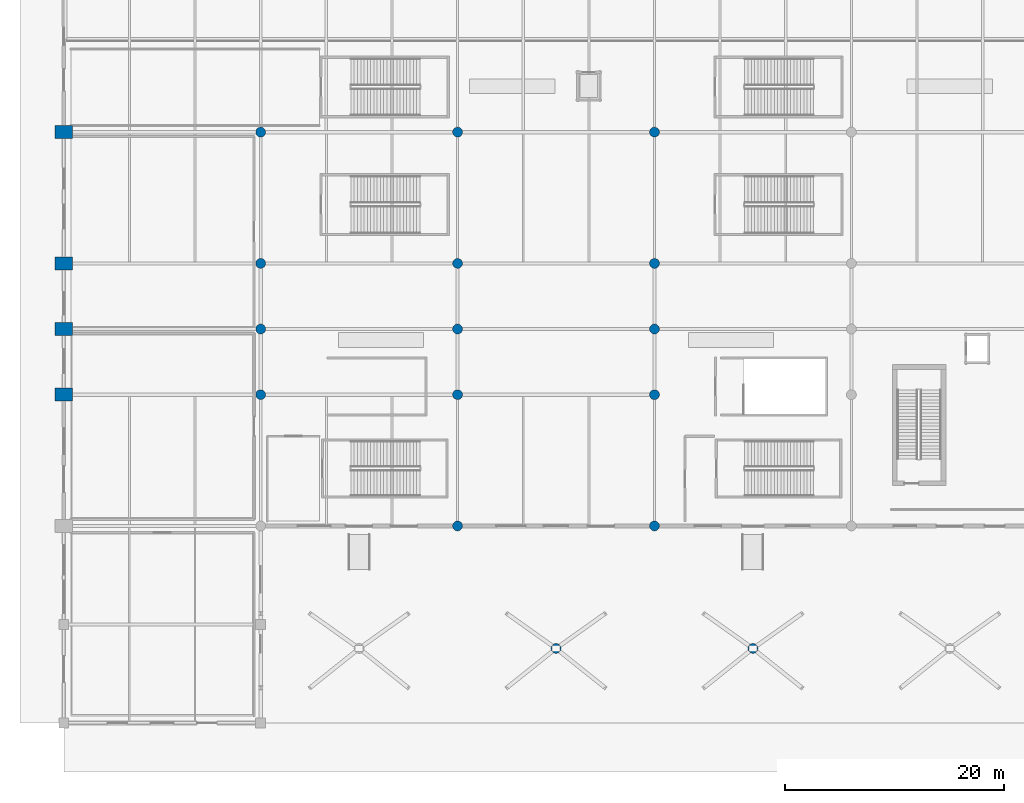
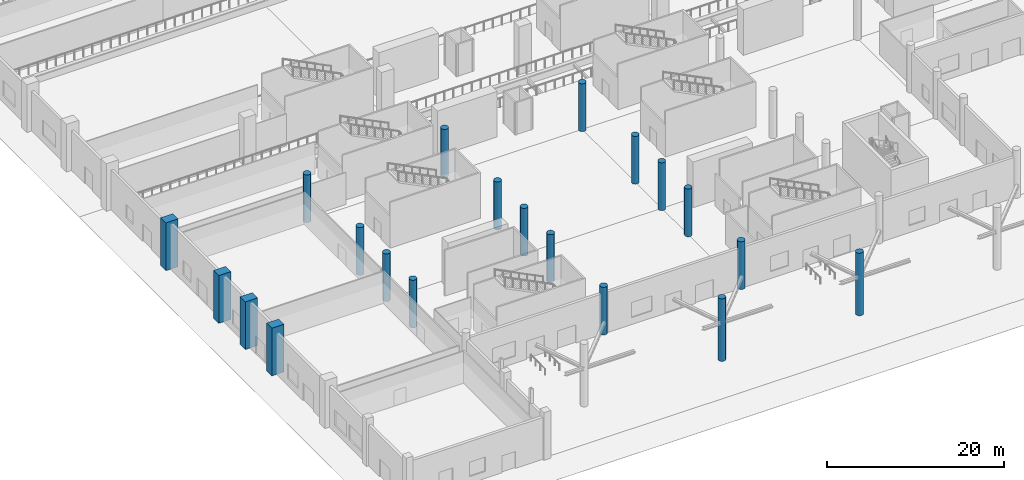
# One storey, part 2 of 65: 20 columns.
"""IFC4 building model written with IfcOpenShell, lengths in metres."""

import ifcopenshell
import ifcopenshell.guid

model = None  # the IFC model being written
_history = None  # IfcOwnerHistory: only IFC2X3 demands one
_inside = {}  # id of a spatial element -> (the spatial element, [elements in it])
_under = {}  # id of a project, library or spatial element -> (it, [spatial elements below it])
_declared = {}  # id of a project -> (the project, [libraries it declares])
_typed = {}  # id of a type object -> (the type object, [elements of that type])
_made_of = {}  # id of a material, layer set ... -> (it, [elements and type objects made of it])


def new_model(schema):
    """Start an empty IFC model of exactly this schema.

    Asked for "IFC4X3", IfcOpenShell would pick the latest addendum, in which some entities
    have other attributes; the version numbers below select the first issue.
    IFC2X3 requires an IfcOwnerHistory on every rooted entity: one is made here for all.
    """
    global model, _history
    if schema == "IFC4X3":
        model = ifcopenshell.file(schema_version=(4, 3, 0, 0))
    else:
        model = ifcopenshell.file(schema=schema)
    _inside.clear()
    _under.clear()
    _declared.clear()
    _typed.clear()
    _made_of.clear()
    _history = None
    if model.schema == "IFC2X3":
        org = make("IfcOrganization", Name="unknown")
        user = make(
            "IfcPersonAndOrganization",
            ThePerson=make("IfcPerson", FamilyName="unknown"),
            TheOrganization=org,
        )
        app = make(
            "IfcApplication",
            ApplicationDeveloper=org,
            Version="unknown",
            ApplicationFullName="unknown",
            ApplicationIdentifier="unknown",
        )
        _history = make(
            "IfcOwnerHistory",
            OwningUser=user,
            OwningApplication=app,
            ChangeAction="ADDED",
            CreationDate=0,
        )
    return model


def make(cls, **values):
    """One entity of the class cls with the attributes given. An attribute that is None is left unset."""
    return model.create_entity(
        cls, **{name: value for name, value in values.items() if value is not None}
    )


def rooted(cls, **values):
    """An entity with a GlobalId (a new one), such as an element, a storey or a relation."""
    return make(cls, GlobalId=ifcopenshell.guid.new(), OwnerHistory=_history, **values)


def si_unit(unit_type, name, prefix=None):
    """IfcSIUnit, for example si_unit("LENGTHUNIT", "METRE", prefix="MILLI")."""
    return make("IfcSIUnit", UnitType=unit_type, Prefix=prefix, Name=name)


def assignment(units):
    """IfcUnitAssignment: the units of a project."""
    return None if units is None else make("IfcUnitAssignment", Units=units)


def point(xyz):
    """IfcCartesianPoint."""
    return None if xyz is None else make("IfcCartesianPoint", Coordinates=xyz)


def direction(xyz):
    """IfcDirection."""
    return None if xyz is None else make("IfcDirection", DirectionRatios=xyz)


def frame(location, z_axis=None, x_axis=None):
    """IfcAxis2Placement3D, a coordinate frame: its origin and axes. An axis left out is left unset."""
    return make(
        "IfcAxis2Placement3D",
        Location=point(location),
        Axis=direction(z_axis),
        RefDirection=direction(x_axis),
    )


def frame_2d(location, x_axis=None):
    """IfcAxis2Placement2D, a coordinate frame in the plane: its origin and x axis."""
    return make(
        "IfcAxis2Placement2D", Location=point(location), RefDirection=direction(x_axis)
    )


def origin():
    """The frame at (0, 0, 0) with its axes left unset."""
    return frame((0.0, 0.0, 0.0))


def origin_2d():
    """The frame at (0, 0) in the plane with its x axis left unset."""
    return frame_2d((0.0, 0.0))


def place(relative_to, where):
    """IfcLocalPlacement: puts the frame where relative to a parent placement (None: the world)."""
    return make(
        "IfcLocalPlacement", PlacementRelTo=relative_to, RelativePlacement=where
    )


def context(
    kind, dimensions, precision=None, world=None, true_north=None, identifier=None
):
    """IfcGeometricRepresentationContext, for example the 3D "Model" context."""
    return make(
        "IfcGeometricRepresentationContext",
        ContextIdentifier=identifier,
        ContextType=kind,
        CoordinateSpaceDimension=dimensions,
        Precision=precision,
        WorldCoordinateSystem=world,
        TrueNorth=true_north,
    )


def subcontext(parent, identifier, kind, view, scale=None):
    """IfcGeometricRepresentationSubContext, for example "Body" below "Model"."""
    return make(
        "IfcGeometricRepresentationSubContext",
        ContextIdentifier=identifier,
        ContextType=kind,
        ParentContext=parent,
        TargetScale=scale,
        TargetView=view,
    )


def project(units=None, contexts=None):
    """IfcProject with its units and contexts."""
    return rooted(
        "IfcProject",
        Name="project",
        RepresentationContexts=contexts,
        UnitsInContext=assignment(units),
    )


def spatial(cls, under=None, at=None, **own):
    """A site, building, storey or space (cls), placed at a placement, below another one or the project."""
    s = rooted(cls, ObjectPlacement=at, **own)
    if under is not None:
        _under.setdefault(under.id(), (under, []))[1].append(s)
    return s


def profile(cls, at=None, kind="AREA", **sizes):
    """A parametric profile (cls). Its sizes go by their IFC names, for example OverallWidth=200.0."""
    return make(cls, ProfileType=kind, Position=at, **sizes)


def rectangle(**sizes):
    """IfcRectangleProfileDef."""
    return profile("IfcRectangleProfileDef", **sizes)


def circle(**sizes):
    """IfcCircleProfileDef."""
    return profile("IfcCircleProfileDef", **sizes)


def extrude(swept, where, along, depth):
    """IfcExtrudedAreaSolid: the profile swept, set in the frame where, extruded along a direction by depth."""
    return make(
        "IfcExtrudedAreaSolid",
        SweptArea=swept,
        Position=where,
        ExtrudedDirection=direction(along),
        Depth=depth,
    )


def shape(context_of_items, identifier, shape_type, items):
    """IfcShapeRepresentation: the items that make up one representation, for example the "Body"."""
    return make(
        "IfcShapeRepresentation",
        ContextOfItems=context_of_items,
        RepresentationIdentifier=identifier,
        RepresentationType=shape_type,
        Items=items,
    )


def material(Name=None, Category=None):
    """IfcMaterial."""
    return make("IfcMaterial", Name=Name, Category=Category)


def material_profile(
    of_material, cross_section, Name=None, Category=None, Priority=None
):
    """IfcMaterialProfile: a cross section and its material."""
    return make(
        "IfcMaterialProfile",
        Name=Name,
        Material=of_material,
        Profile=cross_section,
        Priority=Priority,
        Category=Category,
    )


def profile_set(profiles, Name=None, composite=None):
    """IfcMaterialProfileSet."""
    return make(
        "IfcMaterialProfileSet",
        Name=Name,
        MaterialProfiles=profiles,
        CompositeProfile=composite,
    )


def made_of(thing, what):
    """Note that an element or type object is made of a material, layer set ...; save() writes the relation."""
    if what is not None:
        _made_of.setdefault(what.id(), (what, []))[1].append(thing)
    return thing


def type_object(cls, material=None, **own):
    """A type object (cls), such as IfcWallType, which elements share."""
    return made_of(rooted(cls, **own), material)


def element(
    cls,
    number,
    at=None,
    inside=None,
    cuts=None,
    type_object=None,
    material=None,
    context=None,
    identifier="Body",
    shape_type=None,
    held_by="IfcProductDefinitionShape",
    body=None,
    shapes=None,
    **own,
):
    """One element of the class cls, such as IfcWall. Its Tag is "e" and its number.

    at: its placement. inside: the storey or other place that contains it. cuts: it is an
    opening in that element (IfcRelVoidsElement). A single representation is given by context,
    identifier, shape_type and body (its items); several are given by shapes. held_by: the class
    of the entity that holds the representations. save() writes the other relations.
    """
    e = rooted(cls, Tag="e%d" % number, ObjectPlacement=at, **own)
    if body is not None:
        shapes = [shape(context, identifier, shape_type, body)]
    if shapes is not None:
        e.Representation = make(held_by, Representations=shapes)
    if inside is not None:
        _inside.setdefault(inside.id(), (inside, []))[1].append(e)
    if cuts is not None:
        rooted(
            "IfcRelVoidsElement", RelatingBuildingElement=cuts, RelatedOpeningElement=e
        )
    if type_object is not None:
        _typed.setdefault(type_object.id(), (type_object, []))[1].append(e)
    return made_of(e, material)


def aggregate(whole, parts):
    """IfcRelAggregates: a whole, such as a stair, and the parts it consists of."""
    return rooted("IfcRelAggregates", RelatingObject=whole, RelatedObjects=parts)


def save(model, path):
    """Write the relations noted so far, then the file.

    IfcRelAggregates (storeys below a building ...), IfcRelContainedInSpatialStructure (elements
    in a storey), IfcRelDefinesByType, IfcRelAssociatesMaterial and IfcRelDeclares: one each for
    every whole, place, type object, material and project.
    """
    for whole, parts in _under.values():
        aggregate(whole, parts)
    for where, things in _inside.values():
        rooted(
            "IfcRelContainedInSpatialStructure",
            RelatedElements=things,
            RelatingStructure=where,
        )
    for kind, things in _typed.values():
        rooted("IfcRelDefinesByType", RelatedObjects=things, RelatingType=kind)
    for what, things in _made_of.values():
        rooted("IfcRelAssociatesMaterial", RelatedObjects=things, RelatingMaterial=what)
    for by, libraries in _declared.values():
        rooted("IfcRelDeclares", RelatingContext=by, RelatedDefinitions=libraries)
    model.write(path)


model = new_model("IFC4")

# Units and contexts
model_context = context("Model", 3, precision=1e-05, world=origin(), true_north=direction((0.0, 1.0)))
body_context = subcontext(model_context, "Body", "Model", "MODEL_VIEW")
ifc_project = project(units=[si_unit("LENGTHUNIT", "METRE"), si_unit("AREAUNIT", "SQUARE_METRE"), si_unit("VOLUMEUNIT", "CUBIC_METRE"), si_unit("PLANEANGLEUNIT", "RADIAN"), si_unit("MASSUNIT", "GRAM", prefix="KILO")], contexts=[model_context])

# Site, building, storey
site_placement = place(None, origin())
site = spatial("IfcSite", under=ifc_project, at=site_placement, CompositionType="ELEMENT")
building_placement = place(site_placement, origin())
building = spatial("IfcBuilding", under=site, at=building_placement, Name="Chuanluo Vaults Station", CompositionType="ELEMENT")
storey_placement = place(building_placement, origin())
storey = spatial("IfcBuildingStorey", under=building, at=storey_placement, Name="L00", CompositionType="ELEMENT", Elevation=0.0)

# Columns
ifc_material_1 = material(Name="Concrete C50", Category="concrete")
ifc_material_profile_1 = material_profile(ifc_material_1, circle(Radius=0.449951171875, at=origin_2d()))
ifc_profile_set_1 = profile_set([ifc_material_profile_1], Name="Concrete C50")
column_type_1 = type_object("IfcColumnType", Name="COL-CIR-900", PredefinedType="COLUMN", material=ifc_profile_set_1)
for number, where, z_axis, x_axis, name in (
    (1, (18.0, 30.0, 0.0), (0.0, 0.0, 1.0), (1.0, 0.0, 0.0), "Column L00-018"),
    (2, (18.0, 36.0, 0.0), (0.0, 0.0, 1.0), (1.0, 0.0, 0.0), "Column L00-019"),
    (3, (18.0, 42.0, 0.0), (0.0, 0.0, 1.0), (1.0, 0.0, 0.0), "Column L00-020"),
    (4, (18.0, 54.0, 0.0), (0.0, 0.0, 1.0), (1.0, 0.0, 0.0), "Column L00-021"),
    (5, (36.0, 18.0, 0.0), (0.0, 0.0, 1.0), (1.0, 0.0, 0.0), "Column L00-026"),
    (6, (36.0, 30.0, 0.0), (0.0, 0.0, 1.0), (1.0, 0.0, 0.0), "Column L00-027"),
    (7, (36.0, 36.0, 0.0), (0.0, 0.0, 1.0), (1.0, 0.0, 0.0), "Column L00-028"),
    (8, (36.0, 42.0, 0.0), (0.0, 0.0, 1.0), (1.0, 0.0, 0.0), "Column L00-029"),
    (9, (36.0, 54.0, 0.0), (0.0, 0.0, 1.0), (1.0, 0.0, 0.0), "Column L00-030"),
    (10, (54.0, 18.0, 0.0), (0.0, 0.0, 1.0), (1.0, 0.0, 0.0), "Column L00-035"),
    (11, (54.0, 30.0, 0.0), (0.0, 0.0, 1.0), (1.0, 0.0, 0.0), "Column L00-036"),
    (12, (54.0, 36.0, 0.0), (0.0, 0.0, 1.0), (1.0, 0.0, 0.0), "Column L00-037"),
    (13, (54.0, 42.0, 0.0), (0.0, 0.0, 1.0), (1.0, 0.0, 0.0), "Column L00-038"),
    (14, (54.0, 54.0, 0.0), (0.0, 0.0, 1.0), (1.0, 0.0, 0.0), "Column L00-039"),
):
    element("IfcColumn", number, at=place(storey_placement, frame(where, z_axis=z_axis, x_axis=x_axis)), inside=storey, type_object=column_type_1, Name=name, PredefinedType="COLUMN", context=body_context, shape_type="SweptSolid", body=[
        extrude(circle(Radius=0.449951171875, at=origin_2d()), origin(), (0.0, 0.0, 1.0), 6.60009765625),
    ])
for number, where, z_axis, x_axis, name in (
    (15, (45.0, 6.800048828125, 0.0), (0.0, 0.0, 1.0), (1.0, 0.0, 0.0), "Forecourt canopy Y-pier stem 02"),
    (16, (63.0, 6.800048828125, 0.0), (0.0, 0.0, 1.0), (1.0, 0.0, 0.0), "Forecourt canopy Y-pier stem 03"),
):
    element("IfcColumn", number, at=place(storey_placement, frame(where, z_axis=z_axis, x_axis=x_axis)), inside=storey, type_object=column_type_1, Name=name, PredefinedType="COLUMN", context=body_context, shape_type="SweptSolid", body=[
        extrude(circle(Radius=0.449951171875, at=origin_2d()), origin(), (0.0, 0.0, 1.0), 8.64990234375),
    ])
ifc_material_2 = material(Name="Concrete C50", Category="concrete")
ifc_material_profile_2 = material_profile(ifc_material_2, rectangle(XDim=1.60009765625, YDim=1.199951171875, at=origin_2d()))
ifc_profile_set_2 = profile_set([ifc_material_profile_2], Name="Concrete C50")
column_type_2 = type_object("IfcColumnType", Name="COL-SRC-1600x1200", PredefinedType="COLUMN", material=ifc_profile_set_2)
for number, where, z_axis, x_axis, name in (
    (17, (0.0, 30.0, 0.0), (0.0, 0.0, 1.0), (1.0, 0.0, 0.0), "Column L00-004"),
    (18, (0.0, 36.0, 0.0), (0.0, 0.0, 1.0), (1.0, 0.0, 0.0), "Column L00-005"),
    (19, (0.0, 42.0, 0.0), (0.0, 0.0, 1.0), (1.0, 0.0, 0.0), "Column L00-006"),
    (20, (0.0, 54.0, 0.0), (0.0, 0.0, 1.0), (1.0, 0.0, 0.0), "Column L00-007"),
):
    element("IfcColumn", number, at=place(storey_placement, frame(where, z_axis=z_axis, x_axis=x_axis)), inside=storey, type_object=column_type_2, Name=name, PredefinedType="COLUMN", context=body_context, shape_type="SweptSolid", body=[
        extrude(rectangle(XDim=1.60009765625, YDim=1.199951171875, at=origin_2d()), origin(), (0.0, 0.0, 1.0), 6.60009765625),
    ])

save(model, "model.ifc")
